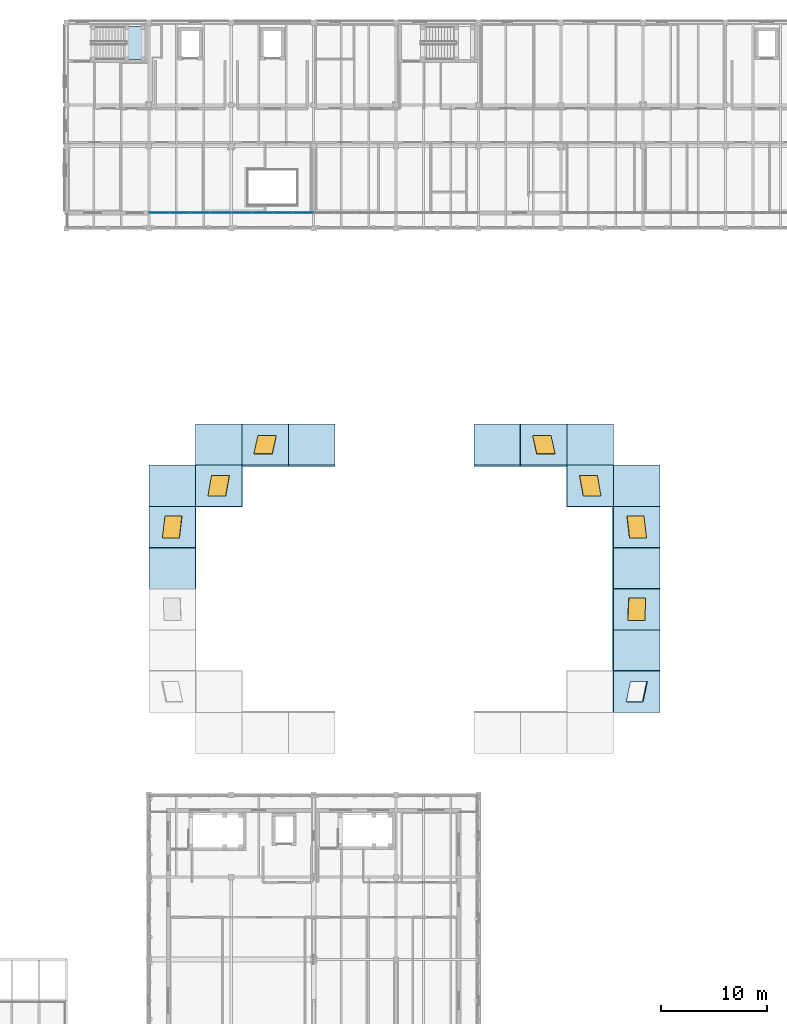
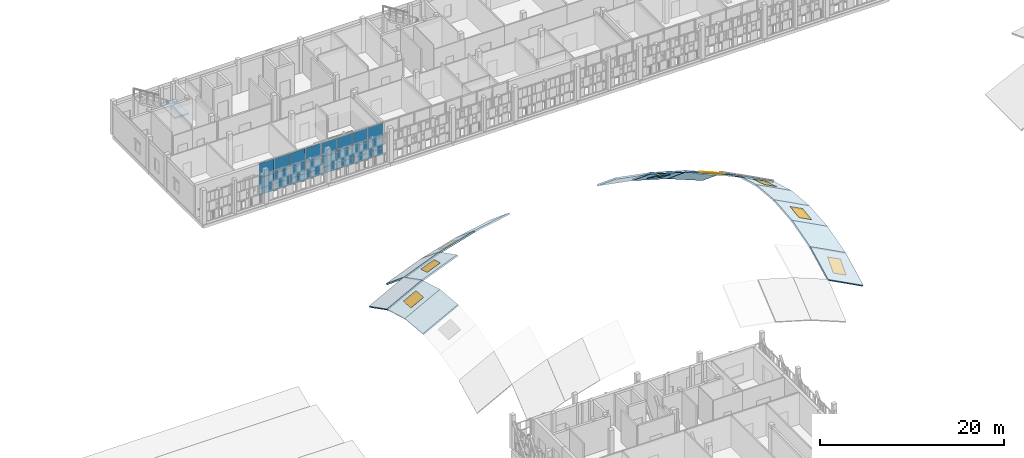
# One storey, part 51 of 89: 24 plates, 18 slabs, 8 windows, 8 openings, 3 elements without a shape of their own.
"""IFC4 building model written with IfcOpenShell, lengths in metres."""

from ifc_helpers import new_model, si_unit, direction, frame, origin, origin_2d, place, context, subcontext, project, spatial, polyline, rectangle, outline, extrude, material, layer, layer_set, type_object, element, fill, aggregate, save


model = new_model("IFC4")

# Units and contexts
model_context = context("Model", 3, precision=1e-05, world=origin(), true_north=direction((0.0, 1.0)))
body_context = subcontext(model_context, "Body", "Model", "MODEL_VIEW")
ifc_project = project(units=[si_unit("LENGTHUNIT", "METRE"), si_unit("AREAUNIT", "SQUARE_METRE"), si_unit("VOLUMEUNIT", "CUBIC_METRE"), si_unit("PLANEANGLEUNIT", "RADIAN"), si_unit("MASSUNIT", "GRAM", prefix="KILO")], contexts=[model_context])

# Site, building, storey
site_placement = place(None, origin())
site = spatial("IfcSite", under=ifc_project, at=site_placement, CompositionType="ELEMENT")
building_placement = place(site_placement, origin())
building = spatial("IfcBuilding", under=site, at=building_placement, Name="Celorna Specialist Clinic", CompositionType="ELEMENT")
storey_placement = place(building_placement, frame((0.0, 0.0, 14.10009765625)))
storey = spatial("IfcBuildingStorey", under=building, at=storey_placement, Name="L03", CompositionType="ELEMENT", Elevation=14.10009765625)

# Curtain wall, plates
ifc_material_1 = material(Name="Thermally broken aluminium and solar-control glass curtain wall", Category="aluminium")
ifc_layer_1 = layer(ifc_material_1, 0.159912109375, Name="Thermally broken aluminium and solar-control glass curtain wall")
ifc_layer_set_1 = layer_set([ifc_layer_1], Name="Thermally broken aluminium and solar-control glass curtain wall")
curtain_wall_type_1 = type_object("IfcCurtainWallType", Name="CW-70", PredefinedType="NOTDEFINED", material=ifc_layer_set_1)
curtain_wall_1_placement = place(storey_placement, origin())
curtain_wall_1 = element("IfcCurtainWall", 1, at=curtain_wall_1_placement, inside=storey, type_object=curtain_wall_type_1, Name="Curtain wall CW-70 #130", PredefinedType="NOTDEFINED")
ifc_material_2 = material(Name="Low-e double glazing", Category="glass")
ifc_layer_2 = layer(ifc_material_2, 0.028076171875, Name="Low-e double glazing")
ifc_layer_set_2 = layer_set([ifc_layer_2], Name="Low-e double glazing")
plate_type_1 = type_object("IfcPlateType", Name="CPN-01", PredefinedType="CURTAIN_PANEL", material=ifc_layer_set_2)
plate_1_placement = place(storey_placement, frame((69.20947265625, 98.0, 0.0498046875), z_axis=(0.0, 0.0, 1.0), x_axis=(-1.0, 0.0, 0.0)))
plate_1 = element("IfcPlate", 2, at=plate_1_placement, type_object=plate_type_1, Name="CW-70 panel 1.1", PredefinedType="CURTAIN_PANEL", context=body_context, shape_type="SweptSolid", body=[
    extrude(rectangle(XDim=1.873046875, YDim=0.028076171875, at=origin_2d()), origin(), (0.0, 0.0, 1.0), 0.824951171875),
])
plate_2_placement = place(storey_placement, frame((69.20947265625, 98.0, 0.9248046875), z_axis=(0.0, 0.0, 1.0), x_axis=(-1.0, 0.0, 0.0)))
plate_2 = element("IfcPlate", 3, at=plate_2_placement, type_object=plate_type_1, Name="CW-70 panel 1.2", PredefinedType="CURTAIN_PANEL", context=body_context, shape_type="SweptSolid", body=[
    extrude(rectangle(XDim=1.873046875, YDim=0.028076171875, at=origin_2d()), origin(), (0.0, 0.0, 1.0), 1.35009765625),
])
plate_3_placement = place(storey_placement, frame((69.20947265625, 98.0, 2.32470703125), z_axis=(0.0, 0.0, 1.0), x_axis=(-1.0, 0.0, 0.0)))
plate_3 = element("IfcPlate", 4, at=plate_3_placement, type_object=plate_type_1, Name="CW-70 panel 1.3", PredefinedType="CURTAIN_PANEL", context=body_context, shape_type="SweptSolid", body=[
    extrude(rectangle(XDim=1.873046875, YDim=0.028076171875, at=origin_2d()), origin(), (0.0, 0.0, 1.0), 1.885009765625),
])
plate_4_placement = place(storey_placement, frame((67.27392578125, 98.0, 0.0498046875), z_axis=(0.0, 0.0, 1.0), x_axis=(-1.0, 0.0, 0.0)))
plate_4 = element("IfcPlate", 5, at=plate_4_placement, type_object=plate_type_1, Name="CW-70 panel 2.1", PredefinedType="CURTAIN_PANEL", context=body_context, shape_type="SweptSolid", body=[
    extrude(rectangle(XDim=1.89794921875, YDim=0.028076171875, at=origin_2d()), origin(), (0.0, 0.0, 1.0), 0.824951171875),
])
plate_5_placement = place(storey_placement, frame((67.27392578125, 98.0, 0.9248046875), z_axis=(0.0, 0.0, 1.0), x_axis=(-1.0, 0.0, 0.0)))
plate_5 = element("IfcPlate", 6, at=plate_5_placement, type_object=plate_type_1, Name="CW-70 panel 2.2", PredefinedType="CURTAIN_PANEL", context=body_context, shape_type="SweptSolid", body=[
    extrude(rectangle(XDim=1.89794921875, YDim=0.028076171875, at=origin_2d()), origin(), (0.0, 0.0, 1.0), 1.35009765625),
])
plate_6_placement = place(storey_placement, frame((67.27392578125, 98.0, 2.32470703125), z_axis=(0.0, 0.0, 1.0), x_axis=(-1.0, 0.0, 0.0)))
plate_6 = element("IfcPlate", 7, at=plate_6_placement, type_object=plate_type_1, Name="CW-70 panel 2.3", PredefinedType="CURTAIN_PANEL", context=body_context, shape_type="SweptSolid", body=[
    extrude(rectangle(XDim=1.89794921875, YDim=0.028076171875, at=origin_2d()), origin(), (0.0, 0.0, 1.0), 1.885009765625),
])
plate_7_placement = place(storey_placement, frame((65.325927734375, 98.0, 0.0498046875), z_axis=(0.0, 0.0, 1.0), x_axis=(-1.0, 0.0, 0.0)))
plate_7 = element("IfcPlate", 8, at=plate_7_placement, type_object=plate_type_1, Name="CW-70 panel 3.1", PredefinedType="CURTAIN_PANEL", context=body_context, shape_type="SweptSolid", body=[
    extrude(rectangle(XDim=1.89794921875, YDim=0.028076171875, at=origin_2d()), origin(), (0.0, 0.0, 1.0), 0.824951171875),
])
plate_8_placement = place(storey_placement, frame((65.325927734375, 98.0, 0.9248046875), z_axis=(0.0, 0.0, 1.0), x_axis=(-1.0, 0.0, 0.0)))
plate_8 = element("IfcPlate", 9, at=plate_8_placement, type_object=plate_type_1, Name="CW-70 panel 3.2", PredefinedType="CURTAIN_PANEL", context=body_context, shape_type="SweptSolid", body=[
    extrude(rectangle(XDim=1.89794921875, YDim=0.028076171875, at=origin_2d()), origin(), (0.0, 0.0, 1.0), 1.35009765625),
])
plate_9_placement = place(storey_placement, frame((65.325927734375, 98.0, 2.32470703125), z_axis=(0.0, 0.0, 1.0), x_axis=(-1.0, 0.0, 0.0)))
plate_9 = element("IfcPlate", 10, at=plate_9_placement, type_object=plate_type_1, Name="CW-70 panel 3.3", PredefinedType="CURTAIN_PANEL", context=body_context, shape_type="SweptSolid", body=[
    extrude(rectangle(XDim=1.89794921875, YDim=0.028076171875, at=origin_2d()), origin(), (0.0, 0.0, 1.0), 1.885009765625),
])
plate_10_placement = place(storey_placement, frame((63.390380859375, 98.0, 0.0498046875), z_axis=(0.0, 0.0, 1.0), x_axis=(-1.0, 0.0, 0.0)))
plate_10 = element("IfcPlate", 11, at=plate_10_placement, type_object=plate_type_1, Name="CW-70 panel 4.1", PredefinedType="CURTAIN_PANEL", context=body_context, shape_type="SweptSolid", body=[
    extrude(rectangle(XDim=1.873046875, YDim=0.028076171875, at=origin_2d()), origin(), (0.0, 0.0, 1.0), 0.824951171875),
])
plate_11_placement = place(storey_placement, frame((63.390380859375, 98.0, 0.9248046875), z_axis=(0.0, 0.0, 1.0), x_axis=(-1.0, 0.0, 0.0)))
plate_11 = element("IfcPlate", 12, at=plate_11_placement, type_object=plate_type_1, Name="CW-70 panel 4.2", PredefinedType="CURTAIN_PANEL", context=body_context, shape_type="SweptSolid", body=[
    extrude(rectangle(XDim=1.873046875, YDim=0.028076171875, at=origin_2d()), origin(), (0.0, 0.0, 1.0), 1.35009765625),
])
plate_12_placement = place(storey_placement, frame((63.390380859375, 98.0, 2.32470703125), z_axis=(0.0, 0.0, 1.0), x_axis=(-1.0, 0.0, 0.0)))
plate_12 = element("IfcPlate", 13, at=plate_12_placement, type_object=plate_type_1, Name="CW-70 panel 4.3", PredefinedType="CURTAIN_PANEL", context=body_context, shape_type="SweptSolid", body=[
    extrude(rectangle(XDim=1.873046875, YDim=0.028076171875, at=origin_2d()), origin(), (0.0, 0.0, 1.0), 1.885009765625),
])
aggregate(curtain_wall_1, [plate_1, plate_2, plate_3, plate_4, plate_5, plate_6, plate_7, plate_8, plate_9, plate_10, plate_11, plate_12])

ifc_layer_3 = layer(ifc_material_1, 0.159912109375, Name="Thermally broken aluminium and solar-control glass curtain wall")
ifc_layer_set_3 = layer_set([ifc_layer_3], Name="Thermally broken aluminium and solar-control glass curtain wall")
curtain_wall_type_2 = type_object("IfcCurtainWallType", Name="CW-69", PredefinedType="NOTDEFINED", material=ifc_layer_set_3)
curtain_wall_2_placement = place(storey_placement, origin())
curtain_wall_2 = element("IfcCurtainWall", 14, at=curtain_wall_2_placement, inside=storey, type_object=curtain_wall_type_2, Name="Curtain wall CW-69 #129", PredefinedType="NOTDEFINED")
ifc_material_3 = material(Name="Glazed polychrome ceramic insulated spandrel")
ifc_layer_4 = layer(ifc_material_3, 0.0439453125, Name="Glazed polychrome ceramic insulated spandrel")
ifc_layer_set_4 = layer_set([ifc_layer_4], Name="Glazed polychrome ceramic insulated spandrel")
plate_type_2 = type_object("IfcPlateType", Name="CPN-03", PredefinedType="CURTAIN_PANEL", material=ifc_layer_set_4)
plate_13_placement = place(storey_placement, frame((61.409423828125, 98.0, 0.0498046875), z_axis=(0.0, 0.0, 1.0), x_axis=(-1.0, 0.0, 0.0)))
plate_13 = element("IfcPlate", 15, at=plate_13_placement, type_object=plate_type_2, Name="CW-69 panel 1.1", PredefinedType="CURTAIN_PANEL", context=body_context, shape_type="SweptSolid", body=[
    extrude(rectangle(XDim=1.873046875, YDim=0.0439453125, at=origin_2d()), origin(), (0.0, 0.0, 1.0), 0.824951171875),
])
plate_14_placement = place(storey_placement, frame((61.409423828125, 98.0, 0.9248046875), z_axis=(0.0, 0.0, 1.0), x_axis=(-1.0, 0.0, 0.0)))
plate_14 = element("IfcPlate", 16, at=plate_14_placement, type_object=plate_type_2, Name="CW-69 panel 1.2", PredefinedType="CURTAIN_PANEL", context=body_context, shape_type="SweptSolid", body=[
    extrude(rectangle(XDim=1.873046875, YDim=0.0439453125, at=origin_2d()), origin(), (0.0, 0.0, 1.0), 1.35009765625),
])
plate_15_placement = place(storey_placement, frame((61.409423828125, 98.0, 2.32470703125), z_axis=(0.0, 0.0, 1.0), x_axis=(-1.0, 0.0, 0.0)))
plate_15 = element("IfcPlate", 17, at=plate_15_placement, type_object=plate_type_2, Name="CW-69 panel 1.3", PredefinedType="CURTAIN_PANEL", context=body_context, shape_type="SweptSolid", body=[
    extrude(rectangle(XDim=1.873046875, YDim=0.0439453125, at=origin_2d()), origin(), (0.0, 0.0, 1.0), 1.885009765625),
])
plate_16_placement = place(storey_placement, frame((59.47412109375, 98.0, 0.0498046875), z_axis=(0.0, 0.0, 1.0), x_axis=(-1.0, 0.0, 0.0)))
plate_16 = element("IfcPlate", 18, at=plate_16_placement, type_object=plate_type_2, Name="CW-69 panel 2.1", PredefinedType="CURTAIN_PANEL", context=body_context, shape_type="SweptSolid", body=[
    extrude(rectangle(XDim=1.89794921875, YDim=0.0439453125, at=origin_2d()), origin(), (0.0, 0.0, 1.0), 0.824951171875),
])
plate_17_placement = place(storey_placement, frame((59.47412109375, 98.0, 0.9248046875), z_axis=(0.0, 0.0, 1.0), x_axis=(-1.0, 0.0, 0.0)))
plate_17 = element("IfcPlate", 19, at=plate_17_placement, type_object=plate_type_2, Name="CW-69 panel 2.2", PredefinedType="CURTAIN_PANEL", context=body_context, shape_type="SweptSolid", body=[
    extrude(rectangle(XDim=1.89794921875, YDim=0.0439453125, at=origin_2d()), origin(), (0.0, 0.0, 1.0), 1.35009765625),
])
plate_18_placement = place(storey_placement, frame((59.47412109375, 98.0, 2.32470703125), z_axis=(0.0, 0.0, 1.0), x_axis=(-1.0, 0.0, 0.0)))
plate_18 = element("IfcPlate", 20, at=plate_18_placement, type_object=plate_type_2, Name="CW-69 panel 2.3", PredefinedType="CURTAIN_PANEL", context=body_context, shape_type="SweptSolid", body=[
    extrude(rectangle(XDim=1.89794921875, YDim=0.0439453125, at=origin_2d()), origin(), (0.0, 0.0, 1.0), 1.885009765625),
])
plate_19_placement = place(storey_placement, frame((57.52587890625, 98.0, 0.0498046875), z_axis=(0.0, 0.0, 1.0), x_axis=(-1.0, 0.0, 0.0)))
plate_19 = element("IfcPlate", 21, at=plate_19_placement, type_object=plate_type_2, Name="CW-69 panel 3.1", PredefinedType="CURTAIN_PANEL", context=body_context, shape_type="SweptSolid", body=[
    extrude(rectangle(XDim=1.89794921875, YDim=0.0439453125, at=origin_2d()), origin(), (0.0, 0.0, 1.0), 0.824951171875),
])
plate_20_placement = place(storey_placement, frame((57.52587890625, 98.0, 0.9248046875), z_axis=(0.0, 0.0, 1.0), x_axis=(-1.0, 0.0, 0.0)))
plate_20 = element("IfcPlate", 22, at=plate_20_placement, type_object=plate_type_2, Name="CW-69 panel 3.2", PredefinedType="CURTAIN_PANEL", context=body_context, shape_type="SweptSolid", body=[
    extrude(rectangle(XDim=1.89794921875, YDim=0.0439453125, at=origin_2d()), origin(), (0.0, 0.0, 1.0), 1.35009765625),
])
plate_21_placement = place(storey_placement, frame((57.52587890625, 98.0, 2.32470703125), z_axis=(0.0, 0.0, 1.0), x_axis=(-1.0, 0.0, 0.0)))
plate_21 = element("IfcPlate", 23, at=plate_21_placement, type_object=plate_type_2, Name="CW-69 panel 3.3", PredefinedType="CURTAIN_PANEL", context=body_context, shape_type="SweptSolid", body=[
    extrude(rectangle(XDim=1.89794921875, YDim=0.0439453125, at=origin_2d()), origin(), (0.0, 0.0, 1.0), 1.885009765625),
])
plate_22_placement = place(storey_placement, frame((55.590576171875, 98.0, 0.0498046875), z_axis=(0.0, 0.0, 1.0), x_axis=(-1.0, 0.0, 0.0)))
plate_22 = element("IfcPlate", 24, at=plate_22_placement, type_object=plate_type_2, Name="CW-69 panel 4.1", PredefinedType="CURTAIN_PANEL", context=body_context, shape_type="SweptSolid", body=[
    extrude(rectangle(XDim=1.873046875, YDim=0.0439453125, at=origin_2d()), origin(), (0.0, 0.0, 1.0), 0.824951171875),
])
plate_23_placement = place(storey_placement, frame((55.590576171875, 98.0, 0.9248046875), z_axis=(0.0, 0.0, 1.0), x_axis=(-1.0, 0.0, 0.0)))
plate_23 = element("IfcPlate", 25, at=plate_23_placement, type_object=plate_type_2, Name="CW-69 panel 4.2", PredefinedType="CURTAIN_PANEL", context=body_context, shape_type="SweptSolid", body=[
    extrude(rectangle(XDim=1.873046875, YDim=0.0439453125, at=origin_2d()), origin(), (0.0, 0.0, 1.0), 1.35009765625),
])
plate_24_placement = place(storey_placement, frame((55.590576171875, 98.0, 2.32470703125), z_axis=(0.0, 0.0, 1.0), x_axis=(-1.0, 0.0, 0.0)))
plate_24 = element("IfcPlate", 26, at=plate_24_placement, type_object=plate_type_2, Name="CW-69 panel 4.3", PredefinedType="CURTAIN_PANEL", context=body_context, shape_type="SweptSolid", body=[
    extrude(rectangle(XDim=1.873046875, YDim=0.0439453125, at=origin_2d()), origin(), (0.0, 0.0, 1.0), 1.885009765625),
])
aggregate(curtain_wall_2, [plate_13, plate_14, plate_15, plate_16, plate_17, plate_18, plate_19, plate_20, plate_21, plate_22, plate_23, plate_24])

# Stair, slab
ifc_material_4 = material(Name="Concrete C35/45", Category="concrete")
stair_type = type_object("IfcStairType", Name="ST-01", PredefinedType="HALF_TURN_STAIR", material=ifc_material_4)
stair_placement = place(storey_placement, origin())
stair = element("IfcStair", 27, at=stair_placement, inside=storey, type_object=stair_type, Name="L03 Protected exit stair ST-01", PredefinedType="HALF_TURN_STAIR")
ifc_layer_5 = layer(ifc_material_4, 0.199951171875, Name="Concrete C35/45")
ifc_layer_set_5 = layer_set([ifc_layer_5], Name="Concrete C35/45")
slab_type_1 = type_object("IfcSlabType", Name="SL-11", PredefinedType="LANDING", material=ifc_layer_set_5)
slab_1_placement = place(storey_placement, frame((0.0, 0.0, 2.0498046875)))
slab_1 = element("IfcSlab", 28, at=slab_1_placement, type_object=slab_type_1, Name="ST-01 landing 1", PredefinedType="LANDING", context=body_context, shape_type="SweptSolid", body=[
    extrude(outline(polyline([(52.5, 112.52001953125), (54.239990234375, 112.52001953125), (54.239990234375, 115.6201171875), (52.5, 115.6201171875), (52.5, 112.52001953125)])), origin(), (0.0, 0.0, 1.0), 0.2001953125),
])
aggregate(stair, [slab_1])

# Slab
ifc_material_5 = material(Name="Glulam GL28h insulated roof deck", Category="wood")
ifc_layer_6 = layer(ifc_material_5, 0.179931640625, Name="Glulam GL28h insulated roof deck")
ifc_layer_set_6 = layer_set([ifc_layer_6], Name="Glulam GL28h insulated roof deck")
slab_type_2 = type_object("IfcSlabType", Name="SL-12", PredefinedType="ROOF", material=ifc_layer_set_6)
slab_2_placement = place(storey_placement, frame((54.60009765625, 62.39990234375, 3.294921875), z_axis=(-0.466402803283, 0.080562711397, 0.880896176982), x_axis=(0.883768830423, 0.0, 0.467923769831)))
element("IfcSlab", 29, at=slab_2_placement, inside=storey, type_object=slab_type_2, Name="GSH-V1 translational gridshell roof facet 1-5", PredefinedType="ROOF", context=body_context, shape_type="SweptSolid", body=[
    extrude(outline(polyline([(0.0, 0.0), (4.978567010158636, 0.0), (4.811663536593405, 3.912865087894693), (-0.16690347356523078, 3.9128650878946933), (0.0, 0.0)])), origin(), (0.0, 0.0, -1.0), 0.179931640625),
])

# Slab, opening, window
slab_3_placement = place(storey_placement, frame((54.60009765625, 66.300048828125, 2.938232421875), z_axis=(-0.453832645011, 0.243559911763, 0.857154886648), x_axis=(0.883768830423, 0.0, 0.467923769831)))
slab_3 = element("IfcSlab", 30, at=slab_3_placement, inside=storey, type_object=slab_type_2, Name="GSH-V1 translational gridshell roof facet 1-6", PredefinedType="ROOF", context=body_context, shape_type="SweptSolid", body=[
    extrude(outline(polyline([(0.0, 0.0), (4.978567010158636, 0.0), (4.4600352740103935, 4.020991056328819), (-0.5185317361482426, 4.020991056328819), (0.0, 0.0)])), origin(), (0.0, 0.0, -1.0), 0.179931640625),
])
opening_1_placement = place(slab_3_placement, frame((2.22998046875, 2.010498046875, 0.010009765625)))
opening_1 = element("IfcOpeningElement", 31, at=opening_1_placement, cuts=slab_3, Name="Opening SK-02", PredefinedType="OPENING", context=body_context, shape_type="SweptSolid", body=[
    extrude(rectangle(XDim=1.800048828125, YDim=2.14990234375, at=origin_2d()), origin(), (0.0, 0.0, -1.0), 0.199951171875),
])
ifc_material_6 = material(Name="Outpatient atrium skylight lantern")
window_type_1 = type_object("IfcWindowType", Name="SK-02", PartitioningType="SINGLE_PANEL", PredefinedType="SKYLIGHT", material=ifc_material_6)
window_1_placement = place(opening_1_placement, frame((0.0, 0.0, -0.010009765625)))
window_1 = element("IfcWindow", 32, at=window_1_placement, inside=storey, type_object=window_type_1, Name="GSH-V1 gridshell skylight 1-6", OverallHeight=2.14990234375, OverallWidth=1.800048828125, PartitioningType="SINGLE_PANEL", PredefinedType="SKYLIGHT", context=body_context, shape_type="SweptSolid", body=[
    extrude(rectangle(XDim=1.800048828125, YDim=2.14990234375, at=origin_2d()), origin(), (0.0, 0.0, -1.0), 0.050048828125),
])
fill(opening_1, window_1)

# Slab
slab_4_placement = place(storey_placement, frame((54.60009765625, 70.199951171875, 1.830078125), z_axis=(-0.426272998469, 0.412350212297, 0.805145100708), x_axis=(0.883777245858, -8.140406e-06, 0.467907875161)))
element("IfcSlab", 33, at=slab_4_placement, inside=storey, type_object=slab_type_2, Name="GSH-V1 translational gridshell roof facet 1-7", PredefinedType="ROOF", context=body_context, shape_type="SweptSolid", body=[
    extrude(outline(polyline([(0.0, 0.0), (4.978567009188496, 1.1102230246251565e-16), (4.043861863300695, 4.281087387059298), (-0.9345909105667167, 4.280998416779777), (0.0, 0.0)])), origin(), (0.0, 0.0, -1.0), 0.179931640625),
])

# Slab, opening, window
slab_5_placement = place(storey_placement, frame((59.0, 70.199951171875, 4.15966796875), z_axis=(-0.338086403658, 0.429018482791, 0.837639973428), x_axis=(0.927315344547, 0.0, 0.374280979704)))
slab_5 = element("IfcSlab", 34, at=slab_5_placement, inside=storey, type_object=slab_type_2, Name="GSH-V1 translational gridshell roof facet 2-7", PredefinedType="ROOF", context=body_context, shape_type="SweptSolid", body=[
    extrude(outline(polyline([(0.0, 0.0), (4.744774654733399, 0.0), (3.9971264672477984, 4.317685157905408), (-0.7476481874855999, 4.317685157905408), (0.0, 0.0)])), origin(), (0.0, 0.0, -1.0), 0.179931640625),
])
opening_2_placement = place(slab_5_placement, frame((1.99853515625, 2.15869140625, 0.010009765625)))
opening_2 = element("IfcOpeningElement", 35, at=opening_2_placement, cuts=slab_5, Name="Opening SK-02", PredefinedType="OPENING", context=body_context, shape_type="SweptSolid", body=[
    extrude(rectangle(XDim=1.800048828125, YDim=2.139892578125, at=origin_2d()), origin(), (0.0, 0.0, -1.0), 0.199951171875),
])
window_2_placement = place(opening_2_placement, frame((0.0, 0.0, -0.010009765625)))
window_2 = element("IfcWindow", 36, at=window_2_placement, inside=storey, type_object=window_type_1, Name="GSH-V1 gridshell skylight 2-7", OverallHeight=2.139892578125, OverallWidth=1.800048828125, PartitioningType="SINGLE_PANEL", PredefinedType="SKYLIGHT", context=body_context, shape_type="SweptSolid", body=[
    extrude(rectangle(XDim=1.800048828125, YDim=2.139892578125, at=origin_2d()), origin(), (0.0, 0.0, -1.0), 0.050048828125),
])
fill(opening_2, window_2)

# Slab
slab_6_placement = place(storey_placement, frame((59.0, 74.10009765625, 2.162109375), z_axis=(-0.296404645802, 0.610610813191, 0.734369607733), x_axis=(0.927315344547, 0.0, 0.374280979704)))
element("IfcSlab", 37, at=slab_6_placement, inside=storey, type_object=slab_type_2, Name="GSH-V1 translational gridshell roof facet 2-8", PredefinedType="ROOF", context=body_context, shape_type="SweptSolid", body=[
    extrude(outline(polyline([(0.0, 0.0), (4.744774654733399, 2.220446049250313e-16), (3.53110278646357, 4.924549229042437), (-1.2136718682698289, 4.924549229042437), (0.0, 0.0)])), origin(), (0.0, 0.0, -1.0), 0.179931640625),
])

# Slab, opening, window
slab_7_placement = place(storey_placement, frame((63.39990234375, 74.10009765625, 3.93798828125), z_axis=(-0.219360188333, 0.623769411018, 0.750195194368), x_axis=(0.959809509952, 0.0, 0.280652284162)))
slab_7 = element("IfcSlab", 38, at=slab_7_placement, inside=storey, type_object=slab_type_2, Name="GSH-V1 translational gridshell roof facet 3-8", PredefinedType="ROOF", context=body_context, shape_type="SweptSolid", body=[
    extrude(outline(polyline([(0.0, 0.0), (4.584395589697743, -1.1102230246251565e-16), (3.6743312248937485, 4.989585891134247), (-0.9100643648039946, 4.989585891134247), (0.0, 0.0)])), origin(), (0.0, 0.0, -1.0), 0.179931640625),
])
opening_3_placement = place(slab_7_placement, frame((1.83740234375, 2.494873046875, 0.010009765625)))
opening_3 = element("IfcOpeningElement", 39, at=opening_3_placement, cuts=slab_7, Name="Opening SK-02", PredefinedType="OPENING", context=body_context, shape_type="SweptSolid", body=[
    extrude(rectangle(XDim=1.800048828125, YDim=2.14990234375, at=origin_2d()), origin(), (0.0, 0.0, -1.0), 0.199951171875),
])
window_3_placement = place(opening_3_placement, frame((0.0, 0.0, -0.010009765625)))
window_3 = element("IfcWindow", 40, at=window_3_placement, inside=storey, type_object=window_type_1, Name="GSH-V1 gridshell skylight 3-8", OverallHeight=2.14990234375, OverallWidth=1.800048828125, PartitioningType="SINGLE_PANEL", PredefinedType="SKYLIGHT", context=body_context, shape_type="SweptSolid", body=[
    extrude(rectangle(XDim=1.800048828125, YDim=2.14990234375, at=origin_2d()), origin(), (0.0, 0.0, -1.0), 0.050048828125),
])
fill(opening_3, window_3)

# Slabs
slab_8_placement = place(storey_placement, frame((67.800048828125, 74.10009765625, 5.224609375), z_axis=(-0.144925345296, 0.632591455463, 0.760805293598), x_axis=(0.982336180889, 0.0, 0.187124631506)))
element("IfcSlab", 41, at=slab_8_placement, inside=storey, type_object=slab_type_2, Name="GSH-V1 translational gridshell roof facet 4-8", PredefinedType="ROOF", context=body_context, shape_type="SweptSolid", body=[
    extrude(outline(polyline([(0.0, 0.0), (4.479018923814234, 1.1102230246251565e-16), (3.8722344131559456, 5.03547386754387), (-0.6067845106582882, 5.035473867543871), (0.0, 0.0)])), origin(), (0.0, 0.0, -1.0), 0.179931640625),
])
slab_9_placement = place(storey_placement, frame((85.39990234375, 74.10009765625, 6.062744140625), z_axis=(0.14491747304, 0.632592192643, 0.76080618019), x_axis=(0.982338089354, 0.0, -0.187114612481)))
element("IfcSlab", 42, at=slab_9_placement, inside=storey, type_object=slab_type_2, Name="GSH-V1 translational gridshell roof facet 8-8", PredefinedType="ROOF", context=body_context, shape_type="SweptSolid", body=[
    extrude(outline(polyline([(0.0, 0.0), (4.47925875221637, 0.0), (5.0860107744278675, 5.035477782359317), (0.6067520222114978, 5.035477782359317), (0.0, 0.0)])), origin(), (0.0, 0.0, -1.0), 0.179931640625),
])

# Slab, opening, window
slab_10_placement = place(storey_placement, frame((89.800048828125, 74.10009765625, 5.224609375), z_axis=(0.219371774393, 0.623767745509, 0.750193191293), x_axis=(0.959805314986, 0.0, -0.280666630229)))
slab_10 = element("IfcSlab", 43, at=slab_10_placement, inside=storey, type_object=slab_type_2, Name="GSH-V1 translational gridshell roof facet 9-8", PredefinedType="ROOF", context=body_context, shape_type="SweptSolid", body=[
    extrude(outline(polyline([(0.0, 0.0), (4.58416126171617, -2.220446049250313e-16), (5.494272146163243, 4.989577406063864), (0.9101108844470723, 4.989577406063864), (0.0, 0.0)])), origin(), (0.0, 0.0, -1.0), 0.179931640625),
])
opening_4_placement = place(slab_10_placement, frame((2.7470703125, 2.494873046875, 0.010009765625)))
opening_4 = element("IfcOpeningElement", 44, at=opening_4_placement, cuts=slab_10, Name="Opening SK-02", PredefinedType="OPENING", context=body_context, shape_type="SweptSolid", body=[
    extrude(rectangle(XDim=1.800048828125, YDim=2.14990234375, at=origin_2d()), origin(), (0.0, 0.0, -1.0), 0.199951171875),
])
window_4_placement = place(opening_4_placement, frame((0.0, 0.0, -0.010009765625)))
window_4 = element("IfcWindow", 45, at=window_4_placement, inside=storey, type_object=window_type_1, Name="GSH-V1 gridshell skylight 9-8", OverallHeight=2.14990234375, OverallWidth=1.800048828125, PartitioningType="SINGLE_PANEL", PredefinedType="SKYLIGHT", context=body_context, shape_type="SweptSolid", body=[
    extrude(rectangle(XDim=1.800048828125, YDim=2.14990234375, at=origin_2d()), origin(), (0.0, 0.0, -1.0), 0.050048828125),
])
fill(opening_4, window_4)

slab_11_placement = place(storey_placement, frame((94.199951171875, 70.199951171875, 5.935546875), z_axis=(0.338069789045, 0.42902120359, 0.83764528567), x_axis=(0.927322552117, 0.0, -0.374263121794)))
slab_11 = element("IfcSlab", 46, at=slab_11_placement, inside=storey, type_object=slab_type_2, Name="GSH-V1 translational gridshell roof facet 10-7", PredefinedType="ROOF", context=body_context, shape_type="SweptSolid", body=[
    extrude(outline(polyline([(0.0, 0.0), (4.745001050961039, 1.1102230246251565e-16), (5.492613566224983, 4.317691334737567), (0.7476125152639436, 4.3176913347375665), (0.0, 0.0)])), origin(), (0.0, 0.0, -1.0), 0.179931640625),
])
opening_5_placement = place(slab_11_placement, frame((2.74609375, 2.15869140625, 0.010009765625)))
opening_5 = element("IfcOpeningElement", 47, at=opening_5_placement, cuts=slab_11, Name="Opening SK-02", PredefinedType="OPENING", context=body_context, shape_type="SweptSolid", body=[
    extrude(rectangle(XDim=1.800048828125, YDim=2.139892578125, at=origin_2d()), origin(), (0.0, 0.0, -1.0), 0.199951171875),
])
window_5_placement = place(opening_5_placement, frame((0.0, 0.0, -0.010009765625)))
window_5 = element("IfcWindow", 48, at=window_5_placement, inside=storey, type_object=window_type_1, Name="GSH-V1 gridshell skylight 10-7", OverallHeight=2.139892578125, OverallWidth=1.800048828125, PartitioningType="SINGLE_PANEL", PredefinedType="SKYLIGHT", context=body_context, shape_type="SweptSolid", body=[
    extrude(rectangle(XDim=1.800048828125, YDim=2.139892578125, at=origin_2d()), origin(), (0.0, 0.0, -1.0), 0.050048828125),
])
fill(opening_5, window_5)

# Slab
slab_12_placement = place(storey_placement, frame((94.199951171875, 74.10009765625, 3.93798828125), z_axis=(0.296389644649, 0.61061378964, 0.73437318745), x_axis=(0.927322552117, 0.0, -0.374263121794)))
element("IfcSlab", 49, at=slab_12_placement, inside=storey, type_object=slab_type_2, Name="GSH-V1 translational gridshell roof facet 10-8", PredefinedType="ROOF", context=body_context, shape_type="SweptSolid", body=[
    extrude(outline(polyline([(0.0, 0.0), (4.745001050961039, -2.220446049250313e-16), (5.958615011818495, 4.924563500159575), (1.2136139608574552, 4.924563500159575), (0.0, 0.0)])), origin(), (0.0, 0.0, -1.0), 0.179931640625),
])

# Slab, opening, window
slab_13_placement = place(storey_placement, frame((98.60009765625, 50.699951171875, 2.162109375), z_axis=(0.426272998469, -0.412350212297, 0.805145100708), x_axis=(0.883780693912, 8.140593e-06, -0.46790136247)))
slab_13 = element("IfcSlab", 50, at=slab_13_placement, inside=storey, type_object=slab_type_2, Name="GSH-V1 translational gridshell roof facet 11-2", PredefinedType="ROOF", context=body_context, shape_type="SweptSolid", body=[
    extrude(outline(polyline([(0.0, 0.0), (4.978452774662409, 0.0), (4.043938370268595, 4.281015118236019), (-0.9346286381248858, 4.281104090557033), (0.0, 0.0)])), origin(), (0.0, 0.0, -1.0), 0.179931640625),
])
opening_6_placement = place(slab_13_placement, frame((2.02197265625, 2.140380859375, 0.010009765625)))
opening_6 = element("IfcOpeningElement", 51, at=opening_6_placement, cuts=slab_13, Name="Opening SK-02", PredefinedType="OPENING", context=body_context, shape_type="SweptSolid", body=[
    extrude(rectangle(XDim=1.800048828125, YDim=2.139892578125, at=origin_2d()), origin(), (0.0, 0.0, -1.0), 0.199951171875),
])
window_6_placement = place(opening_6_placement, frame((0.0, 0.0, -0.010009765625)))
window_6 = element("IfcWindow", 52, at=window_6_placement, inside=storey, type_object=window_type_1, Name="GSH-V1 gridshell skylight 11-2", OverallHeight=2.139892578125, OverallWidth=1.800048828125, PartitioningType="SINGLE_PANEL", PredefinedType="SKYLIGHT", context=body_context, shape_type="SweptSolid", body=[
    extrude(rectangle(XDim=1.800048828125, YDim=2.139892578125, at=origin_2d()), origin(), (0.0, 0.0, -1.0), 0.050048828125),
])
fill(opening_6, window_6)

# Slab
slab_14_placement = place(storey_placement, frame((98.60009765625, 54.60009765625, 4.15966796875), z_axis=(0.453832645011, -0.243559911763, 0.857154886648), x_axis=(0.883768830423, 0.0, -0.467923769831)))
element("IfcSlab", 53, at=slab_14_placement, inside=storey, type_object=slab_type_2, Name="GSH-V1 translational gridshell roof facet 11-3", PredefinedType="ROOF", context=body_context, shape_type="SweptSolid", body=[
    extrude(outline(polyline([(0.0, 0.0), (4.978567010158636, 0.0), (4.4600352740103935, 4.020991056328819), (-0.5185317361482426, 4.020991056328819), (0.0, 0.0)])), origin(), (0.0, 0.0, -1.0), 0.179931640625),
])

# Slab, opening, window
slab_15_placement = place(storey_placement, frame((98.60009765625, 58.5, 5.267822265625), z_axis=(0.466402613774, -0.080567722026, 0.880895819057), x_axis=(0.883768830423, 0.0, -0.467923769831)))
slab_15 = element("IfcSlab", 54, at=slab_15_placement, inside=storey, type_object=slab_type_2, Name="GSH-V1 translational gridshell roof facet 11-4", PredefinedType="ROOF", context=body_context, shape_type="SweptSolid", body=[
    extrude(outline(polyline([(0.0, 0.0), (4.978567010158636, 0.0), (4.8116635365934055, 3.9126217408879715), (-0.16690347356523075, 3.912621740887971), (0.0, 0.0)])), origin(), (0.0, 0.0, -1.0), 0.179931640625),
])
opening_7_placement = place(slab_15_placement, frame((2.40576171875, 1.956298828125, 0.010009765625)))
opening_7 = element("IfcOpeningElement", 55, at=opening_7_placement, cuts=slab_15, Name="Opening SK-03", PredefinedType="OPENING", context=body_context, shape_type="SweptSolid", body=[
    extrude(rectangle(XDim=1.800048828125, YDim=2.139892578125, at=origin_2d()), origin(), (0.0, 0.0, -1.0), 0.199951171875),
])
ifc_material_7 = material(Name="Gridshell crown acoustic skylight")
window_type_2 = type_object("IfcWindowType", Name="SK-03", PartitioningType="SINGLE_PANEL", PredefinedType="SKYLIGHT", material=ifc_material_7)
window_7_placement = place(opening_7_placement, frame((0.0, 0.0, -0.010009765625)))
window_7 = element("IfcWindow", 56, at=window_7_placement, inside=storey, type_object=window_type_2, Name="GSH-V1 gridshell skylight 11-4", OverallHeight=2.139892578125, OverallWidth=1.800048828125, PartitioningType="SINGLE_PANEL", PredefinedType="SKYLIGHT", context=body_context, shape_type="SweptSolid", body=[
    extrude(rectangle(XDim=1.800048828125, YDim=2.139892578125, at=origin_2d()), origin(), (0.0, 0.0, -1.0), 0.050048828125),
])
fill(opening_7, window_7)

# Slab
slab_16_placement = place(storey_placement, frame((98.60009765625, 62.39990234375, 5.62451171875), z_axis=(0.466402803283, 0.080562711397, 0.880896176982), x_axis=(0.883768830423, 0.0, -0.467923769831)))
element("IfcSlab", 57, at=slab_16_placement, inside=storey, type_object=slab_type_2, Name="GSH-V1 translational gridshell roof facet 11-5", PredefinedType="ROOF", context=body_context, shape_type="SweptSolid", body=[
    extrude(outline(polyline([(0.0, 0.0), (4.978567010158636, 0.0), (5.145470483723867, 3.9128650878946933), (0.16690347356523078, 3.9128650878946933), (0.0, 0.0)])), origin(), (0.0, 0.0, -1.0), 0.179931640625),
])

# Slab, opening, window
slab_17_placement = place(storey_placement, frame((98.60009765625, 66.300048828125, 5.267822265625), z_axis=(0.453832645011, 0.243559911763, 0.857154886648), x_axis=(0.883768830423, 0.0, -0.467923769831)))
slab_17 = element("IfcSlab", 58, at=slab_17_placement, inside=storey, type_object=slab_type_2, Name="GSH-V1 translational gridshell roof facet 11-6", PredefinedType="ROOF", context=body_context, shape_type="SweptSolid", body=[
    extrude(outline(polyline([(0.0, 0.0), (4.978567010158636, 0.0), (5.497098746306879, 4.02099105632882), (0.5185317361482426, 4.020991056328819), (0.0, 0.0)])), origin(), (0.0, 0.0, -1.0), 0.179931640625),
])
opening_8_placement = place(slab_17_placement, frame((2.74853515625, 2.010498046875, 0.010009765625)))
opening_8 = element("IfcOpeningElement", 59, at=opening_8_placement, cuts=slab_17, Name="Opening SK-02", PredefinedType="OPENING", context=body_context, shape_type="SweptSolid", body=[
    extrude(rectangle(XDim=1.800048828125, YDim=2.14990234375, at=origin_2d()), origin(), (0.0, 0.0, -1.0), 0.199951171875),
])
window_8_placement = place(opening_8_placement, frame((0.0, 0.0, -0.010009765625)))
window_8 = element("IfcWindow", 60, at=window_8_placement, inside=storey, type_object=window_type_1, Name="GSH-V1 gridshell skylight 11-6", OverallHeight=2.14990234375, OverallWidth=1.800048828125, PartitioningType="SINGLE_PANEL", PredefinedType="SKYLIGHT", context=body_context, shape_type="SweptSolid", body=[
    extrude(rectangle(XDim=1.800048828125, YDim=2.14990234375, at=origin_2d()), origin(), (0.0, 0.0, -1.0), 0.050048828125),
])
fill(opening_8, window_8)

# Slab
slab_18_placement = place(storey_placement, frame((98.60009765625, 70.199951171875, 4.15966796875), z_axis=(0.426272998469, 0.412350212297, 0.805145100708), x_axis=(0.883777245858, 8.140406e-06, -0.467907875161)))
element("IfcSlab", 61, at=slab_18_placement, inside=storey, type_object=slab_type_2, Name="GSH-V1 translational gridshell roof facet 11-7", PredefinedType="ROOF", context=body_context, shape_type="SweptSolid", body=[
    extrude(outline(polyline([(0.0, 0.0), (4.978567009188496, -1.1102230246251565e-16), (5.913157919755212, 4.280998416779776), (0.934705145887801, 4.281087387059298), (0.0, 0.0)])), origin(), (0.0, 0.0, -1.0), 0.179931640625),
])

save(model, "model.ifc")
